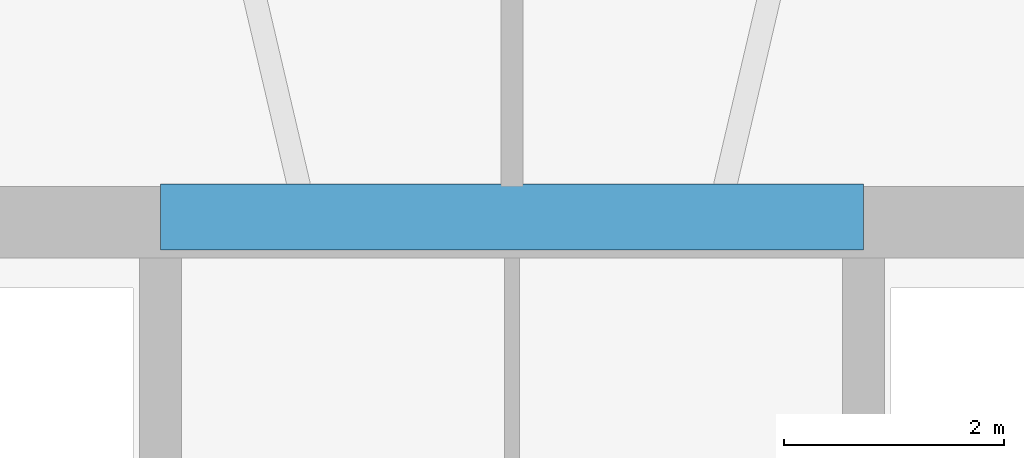
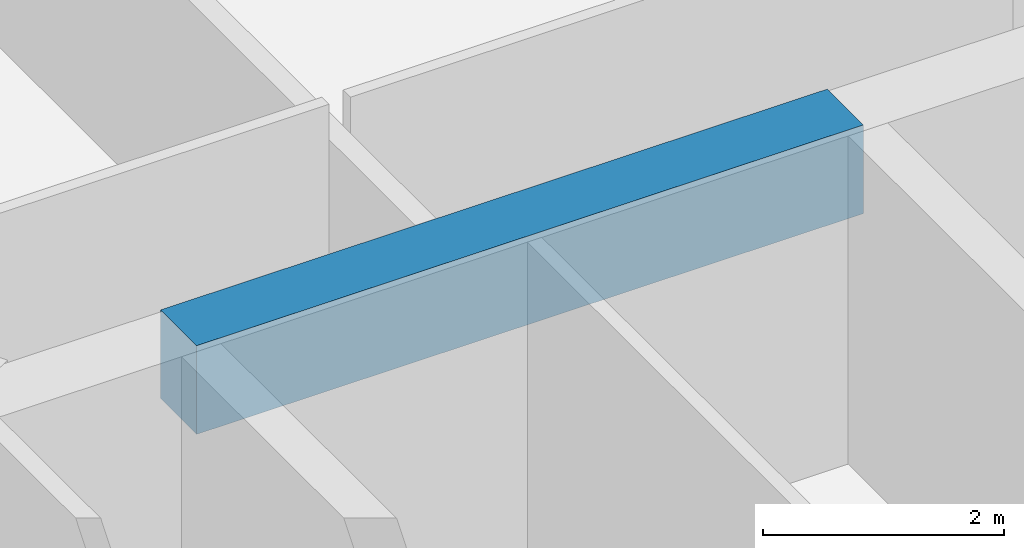
# One storey, part 8 of 26: 1 beam.
"""IFC4 building model written with IfcOpenShell, lengths in metres."""

from ifc_helpers import new_model, si_unit, direction, frame, origin, origin_2d, place, context, subcontext, project, spatial, rectangle, extrude, material, material_profile, profile_set, type_object, element, save


model = new_model("IFC4")

# Units and contexts
model_context = context("Model", 3, precision=1e-05, world=origin(), true_north=direction((-0.2419218956, 0.970295726276)))
body_context = subcontext(model_context, "Body", "Model", "MODEL_VIEW")
ifc_project = project(units=[si_unit("LENGTHUNIT", "METRE"), si_unit("AREAUNIT", "SQUARE_METRE"), si_unit("VOLUMEUNIT", "CUBIC_METRE"), si_unit("PLANEANGLEUNIT", "RADIAN"), si_unit("MASSUNIT", "GRAM", prefix="KILO")], contexts=[model_context])

# Site, building, storey
site_placement = place(None, origin())
site = spatial("IfcSite", under=ifc_project, at=site_placement, CompositionType="ELEMENT")
building_placement = place(site_placement, origin())
building = spatial("IfcBuilding", under=site, at=building_placement, Name="Cobrevalo Terracotta Tower", CompositionType="ELEMENT")
storey_placement = place(building_placement, frame((0.0, 0.0, 171.39990234375)))
storey = spatial("IfcBuildingStorey", under=building, at=storey_placement, Name="L45", CompositionType="ELEMENT", Elevation=171.39990234375)

# Beam
ifc_material = material(Name="Concrete C60", Category="concrete")
ifc_material_profile = material_profile(ifc_material, rectangle(XDim=0.60009765625, YDim=0.89990234375, at=origin_2d()), Name="RC CB 600x900")
ifc_profile_set = profile_set([ifc_material_profile], Name="Concrete C60")
beam_type = type_object("IfcBeamType", Name="Structural Beam RC CB 600x900 (Concrete C60)", PredefinedType="BEAM", material=ifc_profile_set)
beam_placement = place(storey_placement, frame((34.800048828125, 34.800048828125, 2.880126953125), z_axis=(1.0, 0.0, 0.0), x_axis=(0.0, 1.0, 0.0)))
element("IfcBeam", 1, at=beam_placement, inside=storey, type_object=beam_type, Name="L45 core coupling beam 2", PredefinedType="BEAM", context=body_context, shape_type="SweptSolid", body=[
    extrude(rectangle(XDim=0.60009765625, YDim=0.89990234375, at=origin_2d()), origin(), (0.0, 0.0, 1.0), 6.39990234375),
])

save(model, "model.ifc")
